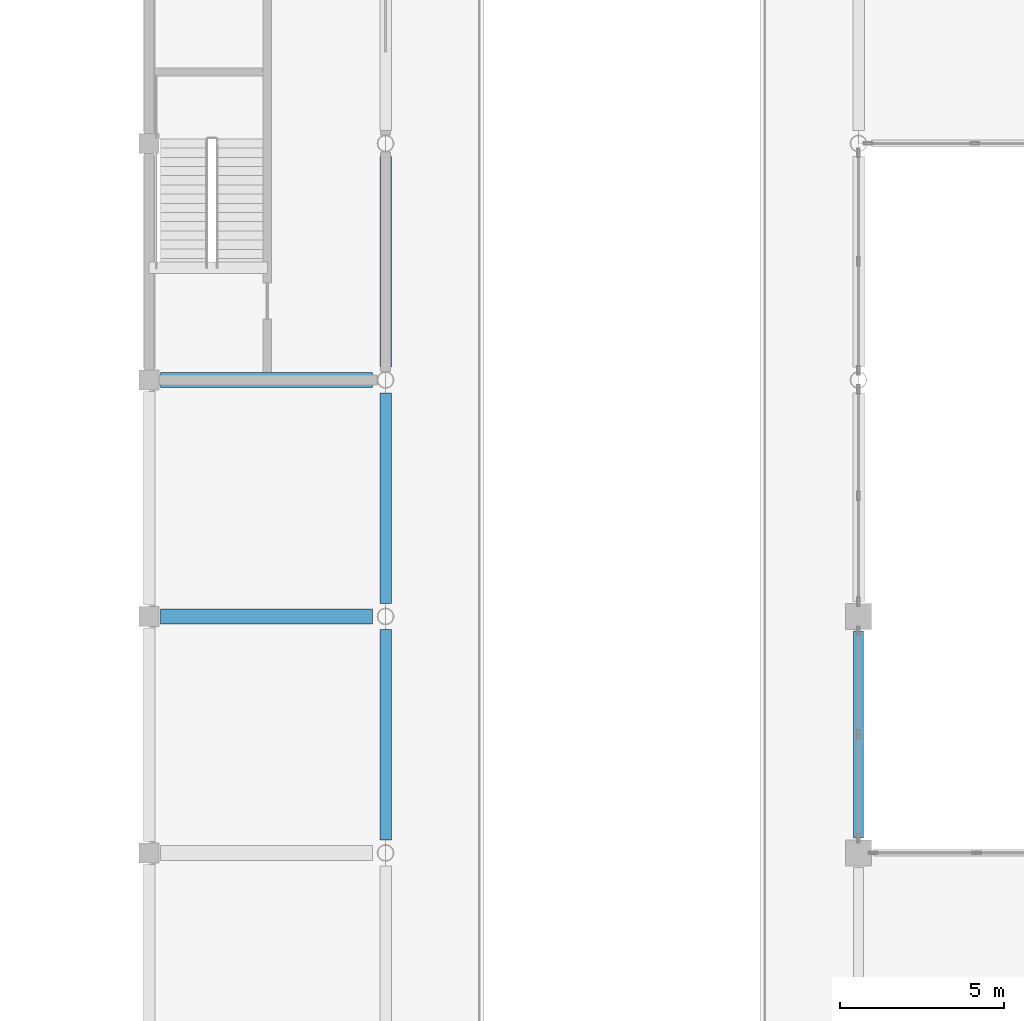
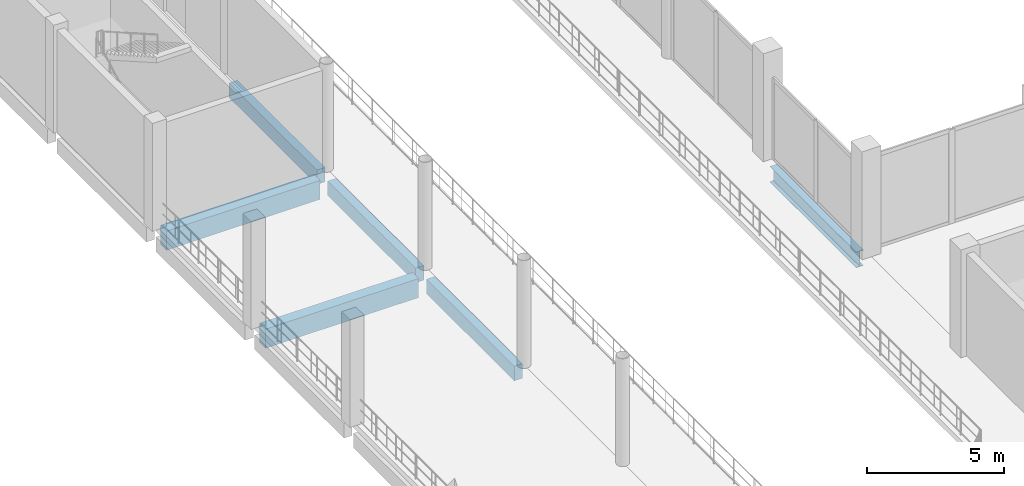
# One storey, part 21 of 99: 6 beams.
"""IFC4 building model written with IfcOpenShell, lengths in metres."""

from ifc_helpers import new_model, si_unit, direction, frame, origin, origin_2d, place, context, subcontext, project, spatial, rectangle, i_section, extrude, material, material_profile, profile_set, type_object, element, save


model = new_model("IFC4")

# Units and contexts
model_context = context("Model", 3, precision=1e-05, world=origin(), true_north=direction((0.0, 1.0)))
body_context = subcontext(model_context, "Body", "Model", "MODEL_VIEW")
ifc_project = project(units=[si_unit("LENGTHUNIT", "METRE"), si_unit("AREAUNIT", "SQUARE_METRE"), si_unit("VOLUMEUNIT", "CUBIC_METRE"), si_unit("PLANEANGLEUNIT", "RADIAN"), si_unit("MASSUNIT", "GRAM", prefix="KILO")], contexts=[model_context])

# Site, building, storey
site_placement = place(None, origin())
site = spatial("IfcSite", under=ifc_project, at=site_placement, CompositionType="ELEMENT")
building_placement = place(site_placement, origin())
building = spatial("IfcBuilding", under=site, at=building_placement, Name="Vesperath Aquatics Centre", CompositionType="ELEMENT")
storey_placement = place(building_placement, frame((0.0, 0.0, 5.39990234375)))
storey = spatial("IfcBuildingStorey", under=building, at=storey_placement, Name="L01", CompositionType="ELEMENT", Elevation=5.39990234375)

# Beams
ifc_material_1 = material(Name="Concrete C35", Category="concrete")
ifc_material_profile_1 = material_profile(ifc_material_1, rectangle(XDim=0.449951171875, YDim=0.85009765625, at=origin_2d()), Name="RC 450x850")
ifc_profile_set_1 = profile_set([ifc_material_profile_1], Name="Concrete C35")
beam_type_1 = type_object("IfcBeamType", Name="BM-G03", PredefinedType="BEAM", material=ifc_profile_set_1)
for number, where, z_axis, x_axis, name in (
    (1, (93.949951171875, 50.39990234375, -0.684814453125), (1.0, 0.0, 0.0), (0.0, 1.0, 0.0), "Floor Girder B03 L01 H 14-15"),
    (2, (93.949951171875, 57.60009765625, -0.684814453125), (1.0, 0.0, 0.0), (0.0, 1.0, 0.0), "Floor Girder B03 L01 J 14-15"),
):
    element("IfcBeam", number, at=place(storey_placement, frame(where, z_axis=z_axis, x_axis=x_axis)), inside=storey, type_object=beam_type_1, Name=name, PredefinedType="BEAM", context=body_context, shape_type="SweptSolid", body=[
        extrude(rectangle(XDim=0.449951171875, YDim=0.85009765625, at=origin_2d()), origin(), (0.0, 0.0, 1.0), 6.449951171875),
    ])
ifc_material_profile_2 = material_profile(ifc_material_1, rectangle(XDim=0.35009765625, YDim=0.64990234375, at=origin_2d()), Name="RC 350x650")
ifc_profile_set_2 = profile_set([ifc_material_profile_2], Name="Concrete C35")
beam_type_2 = type_object("IfcBeamType", Name="BM-G05", PredefinedType="BEAM", material=ifc_profile_set_2)
for number, where, z_axis, x_axis, name in (
    (3, (100.800048828125, 43.60009765625, -0.5849609375), (0.0, 1.0, 0.0), (-1.0, 0.0, 0.0), "Floor Girder B05 L01 15 G-H"),
    (4, (100.800048828125, 50.800048828125, -0.5849609375), (0.0, 1.0, 0.0), (-1.0, 0.0, 0.0), "Floor Girder B05 L01 15 H-J"),
    (5, (100.800048828125, 58.0, -0.5849609375), (0.0, 1.0, 0.0), (-1.0, 0.0, 0.0), "Floor Girder B05 L01 15 J-K"),
):
    element("IfcBeam", number, at=place(storey_placement, frame(where, z_axis=z_axis, x_axis=x_axis)), inside=storey, type_object=beam_type_2, Name=name, PredefinedType="BEAM", context=body_context, shape_type="SweptSolid", body=[
        extrude(rectangle(XDim=0.35009765625, YDim=0.64990234375, at=origin_2d()), origin(), (0.0, 0.0, 1.0), 6.39990234375),
    ])
ifc_material_2 = material(Name="Steel Q355C", Category="steel")
ifc_material_profile_3 = material_profile(ifc_material_2, i_section(OverallWidth=0.300048828125, OverallDepth=0.699951171875, WebThickness=0.012939453125, FlangeThickness=0.02392578125, FilletRadius=0.028076171875, at=origin_2d()), Name="HN 700x300x13x24")
ifc_profile_set_3 = profile_set([ifc_material_profile_3], Name="Steel Q355C")
beam_type_3 = type_object("IfcBeamType", Name="BM-G08", PredefinedType="BEAM", material=ifc_profile_set_3)
beam_placement = place(storey_placement, frame((115.199951171875, 43.64990234375, -0.60986328125), z_axis=(0.0, 1.0, 0.0), x_axis=(-1.0, 0.0, 0.0)))
element("IfcBeam", 6, at=beam_placement, inside=storey, type_object=beam_type_3, Name="Floor Girder B08 L01 17 G-H", PredefinedType="BEAM", context=body_context, shape_type="SweptSolid", body=[
    extrude(i_section(OverallWidth=0.300048828125, OverallDepth=0.699951171875, WebThickness=0.012939453125, FlangeThickness=0.02392578125, FilletRadius=0.028076171875, at=origin_2d()), origin(), (0.0, 0.0, 1.0), 6.300048828125),
])

save(model, "model.ifc")
